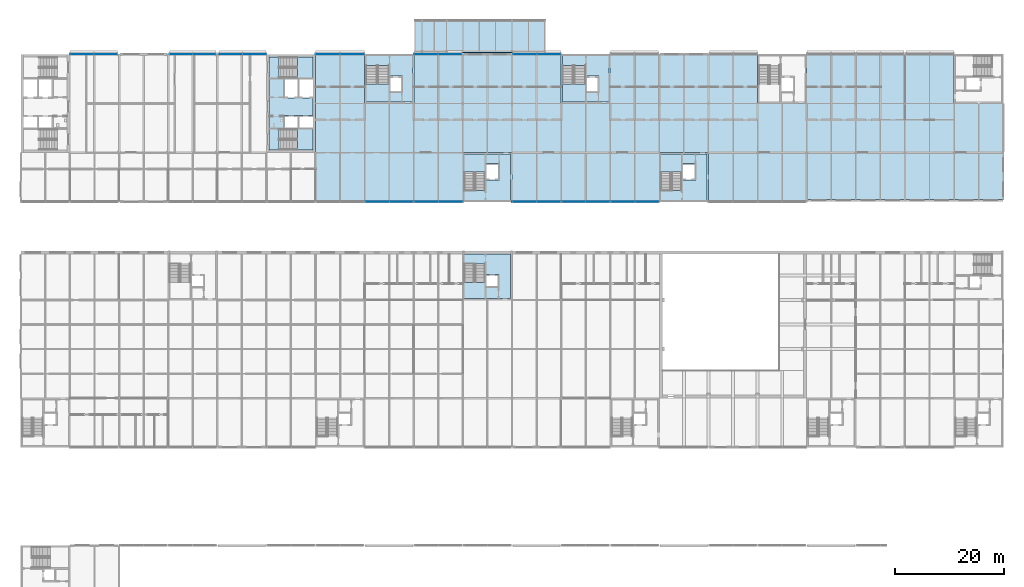
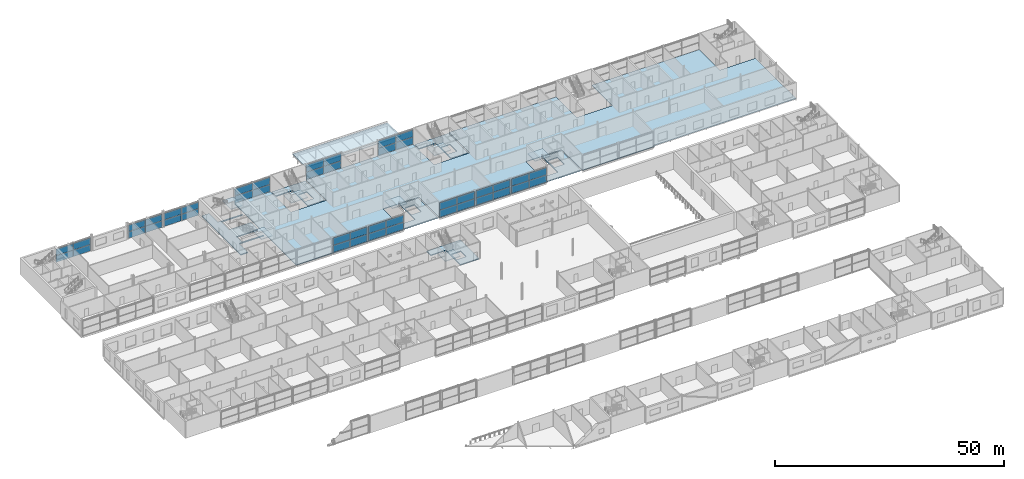
# One storey, part 62 of 97: 44 plates, 15 slabs, 18 elements without a shape of their own.
"""IFC4 building model written with IfcOpenShell, lengths in metres."""

import ifcopenshell
import ifcopenshell.guid

model = None  # the IFC model being written
_history = None  # IfcOwnerHistory: only IFC2X3 demands one
_inside = {}  # id of a spatial element -> (the spatial element, [elements in it])
_under = {}  # id of a project, library or spatial element -> (it, [spatial elements below it])
_declared = {}  # id of a project -> (the project, [libraries it declares])
_typed = {}  # id of a type object -> (the type object, [elements of that type])
_made_of = {}  # id of a material, layer set ... -> (it, [elements and type objects made of it])


def new_model(schema):
    """Start an empty IFC model of exactly this schema.

    Asked for "IFC4X3", IfcOpenShell would pick the latest addendum, in which some entities
    have other attributes; the version numbers below select the first issue.
    IFC2X3 requires an IfcOwnerHistory on every rooted entity: one is made here for all.
    """
    global model, _history
    if schema == "IFC4X3":
        model = ifcopenshell.file(schema_version=(4, 3, 0, 0))
    else:
        model = ifcopenshell.file(schema=schema)
    _inside.clear()
    _under.clear()
    _declared.clear()
    _typed.clear()
    _made_of.clear()
    _history = None
    if model.schema == "IFC2X3":
        org = make("IfcOrganization", Name="unknown")
        user = make(
            "IfcPersonAndOrganization",
            ThePerson=make("IfcPerson", FamilyName="unknown"),
            TheOrganization=org,
        )
        app = make(
            "IfcApplication",
            ApplicationDeveloper=org,
            Version="unknown",
            ApplicationFullName="unknown",
            ApplicationIdentifier="unknown",
        )
        _history = make(
            "IfcOwnerHistory",
            OwningUser=user,
            OwningApplication=app,
            ChangeAction="ADDED",
            CreationDate=0,
        )
    return model


def make(cls, **values):
    """One entity of the class cls with the attributes given. An attribute that is None is left unset."""
    return model.create_entity(
        cls, **{name: value for name, value in values.items() if value is not None}
    )


def rooted(cls, **values):
    """An entity with a GlobalId (a new one), such as an element, a storey or a relation."""
    return make(cls, GlobalId=ifcopenshell.guid.new(), OwnerHistory=_history, **values)


def si_unit(unit_type, name, prefix=None):
    """IfcSIUnit, for example si_unit("LENGTHUNIT", "METRE", prefix="MILLI")."""
    return make("IfcSIUnit", UnitType=unit_type, Prefix=prefix, Name=name)


def assignment(units):
    """IfcUnitAssignment: the units of a project."""
    return None if units is None else make("IfcUnitAssignment", Units=units)


def point(xyz):
    """IfcCartesianPoint."""
    return None if xyz is None else make("IfcCartesianPoint", Coordinates=xyz)


def direction(xyz):
    """IfcDirection."""
    return None if xyz is None else make("IfcDirection", DirectionRatios=xyz)


def frame(location, z_axis=None, x_axis=None):
    """IfcAxis2Placement3D, a coordinate frame: its origin and axes. An axis left out is left unset."""
    return make(
        "IfcAxis2Placement3D",
        Location=point(location),
        Axis=direction(z_axis),
        RefDirection=direction(x_axis),
    )


def frame_2d(location, x_axis=None):
    """IfcAxis2Placement2D, a coordinate frame in the plane: its origin and x axis."""
    return make(
        "IfcAxis2Placement2D", Location=point(location), RefDirection=direction(x_axis)
    )


def origin():
    """The frame at (0, 0, 0) with its axes left unset."""
    return frame((0.0, 0.0, 0.0))


def origin_2d():
    """The frame at (0, 0) in the plane with its x axis left unset."""
    return frame_2d((0.0, 0.0))


def place(relative_to, where):
    """IfcLocalPlacement: puts the frame where relative to a parent placement (None: the world)."""
    return make(
        "IfcLocalPlacement", PlacementRelTo=relative_to, RelativePlacement=where
    )


def context(
    kind, dimensions, precision=None, world=None, true_north=None, identifier=None
):
    """IfcGeometricRepresentationContext, for example the 3D "Model" context."""
    return make(
        "IfcGeometricRepresentationContext",
        ContextIdentifier=identifier,
        ContextType=kind,
        CoordinateSpaceDimension=dimensions,
        Precision=precision,
        WorldCoordinateSystem=world,
        TrueNorth=true_north,
    )


def subcontext(parent, identifier, kind, view, scale=None):
    """IfcGeometricRepresentationSubContext, for example "Body" below "Model"."""
    return make(
        "IfcGeometricRepresentationSubContext",
        ContextIdentifier=identifier,
        ContextType=kind,
        ParentContext=parent,
        TargetScale=scale,
        TargetView=view,
    )


def project(units=None, contexts=None):
    """IfcProject with its units and contexts."""
    return rooted(
        "IfcProject",
        Name="project",
        RepresentationContexts=contexts,
        UnitsInContext=assignment(units),
    )


def spatial(cls, under=None, at=None, **own):
    """A site, building, storey or space (cls), placed at a placement, below another one or the project."""
    s = rooted(cls, ObjectPlacement=at, **own)
    if under is not None:
        _under.setdefault(under.id(), (under, []))[1].append(s)
    return s


def polyline(points):
    """IfcPolyline through the points."""
    return make("IfcPolyline", Points=[point(p) for p in points])


def profile(cls, at=None, kind="AREA", **sizes):
    """A parametric profile (cls). Its sizes go by their IFC names, for example OverallWidth=200.0."""
    return make(cls, ProfileType=kind, Position=at, **sizes)


def rectangle(**sizes):
    """IfcRectangleProfileDef."""
    return profile("IfcRectangleProfileDef", **sizes)


def outline(outer, holes=None, kind="AREA"):
    """IfcArbitraryClosedProfileDef: a profile drawn as a closed curve; with holes, ...WithVoids."""
    if holes is None:
        return make("IfcArbitraryClosedProfileDef", ProfileType=kind, OuterCurve=outer)
    return make(
        "IfcArbitraryProfileDefWithVoids",
        ProfileType=kind,
        OuterCurve=outer,
        InnerCurves=holes,
    )


def extrude(swept, where, along, depth):
    """IfcExtrudedAreaSolid: the profile swept, set in the frame where, extruded along a direction by depth."""
    return make(
        "IfcExtrudedAreaSolid",
        SweptArea=swept,
        Position=where,
        ExtrudedDirection=direction(along),
        Depth=depth,
    )


def shape(context_of_items, identifier, shape_type, items):
    """IfcShapeRepresentation: the items that make up one representation, for example the "Body"."""
    return make(
        "IfcShapeRepresentation",
        ContextOfItems=context_of_items,
        RepresentationIdentifier=identifier,
        RepresentationType=shape_type,
        Items=items,
    )


def material(Name=None, Category=None):
    """IfcMaterial."""
    return make("IfcMaterial", Name=Name, Category=Category)


def layer(
    of_material, thickness, ventilated=None, Name=None, Category=None, Priority=None
):
    """IfcMaterialLayer: one layer of a wall or slab, of a material (None: an air gap)."""
    return make(
        "IfcMaterialLayer",
        Material=of_material,
        LayerThickness=thickness,
        IsVentilated=ventilated,
        Name=Name,
        Category=Category,
        Priority=Priority,
    )


def layer_set(layers, Name=None):
    """IfcMaterialLayerSet."""
    return make("IfcMaterialLayerSet", MaterialLayers=layers, LayerSetName=Name)


def made_of(thing, what):
    """Note that an element or type object is made of a material, layer set ...; save() writes the relation."""
    if what is not None:
        _made_of.setdefault(what.id(), (what, []))[1].append(thing)
    return thing


def type_object(cls, material=None, **own):
    """A type object (cls), such as IfcWallType, which elements share."""
    return made_of(rooted(cls, **own), material)


def element(
    cls,
    number,
    at=None,
    inside=None,
    cuts=None,
    type_object=None,
    material=None,
    context=None,
    identifier="Body",
    shape_type=None,
    held_by="IfcProductDefinitionShape",
    body=None,
    shapes=None,
    **own,
):
    """One element of the class cls, such as IfcWall. Its Tag is "e" and its number.

    at: its placement. inside: the storey or other place that contains it. cuts: it is an
    opening in that element (IfcRelVoidsElement). A single representation is given by context,
    identifier, shape_type and body (its items); several are given by shapes. held_by: the class
    of the entity that holds the representations. save() writes the other relations.
    """
    e = rooted(cls, Tag="e%d" % number, ObjectPlacement=at, **own)
    if body is not None:
        shapes = [shape(context, identifier, shape_type, body)]
    if shapes is not None:
        e.Representation = make(held_by, Representations=shapes)
    if inside is not None:
        _inside.setdefault(inside.id(), (inside, []))[1].append(e)
    if cuts is not None:
        rooted(
            "IfcRelVoidsElement", RelatingBuildingElement=cuts, RelatedOpeningElement=e
        )
    if type_object is not None:
        _typed.setdefault(type_object.id(), (type_object, []))[1].append(e)
    return made_of(e, material)


def aggregate(whole, parts):
    """IfcRelAggregates: a whole, such as a stair, and the parts it consists of."""
    return rooted("IfcRelAggregates", RelatingObject=whole, RelatedObjects=parts)


def save(model, path):
    """Write the relations noted so far, then the file.

    IfcRelAggregates (storeys below a building ...), IfcRelContainedInSpatialStructure (elements
    in a storey), IfcRelDefinesByType, IfcRelAssociatesMaterial and IfcRelDeclares: one each for
    every whole, place, type object, material and project.
    """
    for whole, parts in _under.values():
        aggregate(whole, parts)
    for where, things in _inside.values():
        rooted(
            "IfcRelContainedInSpatialStructure",
            RelatedElements=things,
            RelatingStructure=where,
        )
    for kind, things in _typed.values():
        rooted("IfcRelDefinesByType", RelatedObjects=things, RelatingType=kind)
    for what, things in _made_of.values():
        rooted("IfcRelAssociatesMaterial", RelatedObjects=things, RelatingMaterial=what)
    for by, libraries in _declared.values():
        rooted("IfcRelDeclares", RelatingContext=by, RelatedDefinitions=libraries)
    model.write(path)


model = new_model("IFC4")

# Units and contexts
model_context = context("Model", 3, precision=1e-05, world=origin(), true_north=direction((0.0, 1.0)))
body_context = subcontext(model_context, "Body", "Model", "MODEL_VIEW")
ifc_project = project(units=[si_unit("LENGTHUNIT", "METRE"), si_unit("AREAUNIT", "SQUARE_METRE"), si_unit("VOLUMEUNIT", "CUBIC_METRE"), si_unit("PLANEANGLEUNIT", "RADIAN"), si_unit("MASSUNIT", "GRAM", prefix="KILO")], contexts=[model_context])

# Site, building, storey
site_placement = place(None, origin())
site = spatial("IfcSite", under=ifc_project, at=site_placement, CompositionType="ELEMENT")
building_placement = place(site_placement, origin())
building = spatial("IfcBuilding", under=site, at=building_placement, Name="Corbel Yard City Hall", CompositionType="ELEMENT")
storey_placement = place(building_placement, frame((0.0, 0.0, 6.0)))
storey = spatial("IfcBuildingStorey", under=building, at=storey_placement, Name="L01", CompositionType="ELEMENT", Elevation=6.0)

# Slabs
ifc_material_1 = material(Name="Concrete N40 (40 MPa)", Category="concrete")
ifc_layer_1 = layer(ifc_material_1, 0.25)
ifc_layer_set_1 = layer_set([ifc_layer_1], Name="Concrete N40 (40 MPa)")
slab_type_1 = type_object("IfcSlabType", Name="CF1", PredefinedType="FLOOR", material=ifc_layer_set_1)
slab_1_placement = place(storey_placement, frame((0.0, 0.0, -0.25)))
element("IfcSlab", 1, at=slab_1_placement, inside=storey, type_object=slab_type_1, Name="Core floor slab", PredefinedType="FLOOR", context=body_context, shape_type="SweptSolid", body=[
    extrude(outline(polyline([(81.25, 80.39990234375), (81.25, 78.59912109375), (85.050048828125, 78.59912109375), (85.050048828125, 72.25), (89.75, 72.25), (89.75, 80.39990234375), (81.25, 80.39990234375)]), holes=[polyline([(87.64990234375, 74.25), (87.64990234375, 76.64990234375), (85.300048828125, 76.64990234375), (85.300048828125, 74.25), (87.64990234375, 74.25)])]), origin(), (0.0, 0.0, 1.0), 0.25),
])
slab_2_placement = place(storey_placement, frame((0.0, 0.0, -0.25)))
element("IfcSlab", 2, at=slab_2_placement, inside=storey, type_object=slab_type_1, Name="Core floor slab", PredefinedType="FLOOR", context=body_context, shape_type="SweptSolid", body=[
    extrude(outline(polyline([(63.25, 116.75), (63.25, 114.948974609375), (67.449951171875, 114.948974609375), (67.449951171875, 108.25), (71.75, 108.25), (71.75, 116.75), (63.25, 116.75)]), holes=[polyline([(69.949951171875, 110.0), (69.949951171875, 113.0), (67.699951171875, 113.0), (67.699951171875, 110.0), (69.949951171875, 110.0)])]), origin(), (0.0, 0.0, 1.0), 0.25),
])
slab_3_placement = place(storey_placement, frame((0.0, 0.0, -0.25)))
element("IfcSlab", 3, at=slab_3_placement, inside=storey, type_object=slab_type_1, Name="Core floor slab", PredefinedType="FLOOR", context=body_context, shape_type="SweptSolid", body=[
    extrude(outline(polyline([(99.25, 116.75), (99.25, 114.948974609375), (103.449951171875, 114.948974609375), (103.449951171875, 108.25), (107.75, 108.25), (107.75, 116.75), (99.25, 116.75)]), holes=[polyline([(105.949951171875, 110.0), (105.949951171875, 113.0), (103.699951171875, 113.0), (103.699951171875, 110.0), (105.949951171875, 110.0)])]), origin(), (0.0, 0.0, 1.0), 0.25),
])
slab_4_placement = place(storey_placement, frame((0.0, 0.0, -0.25)))
element("IfcSlab", 4, at=slab_4_placement, inside=storey, type_object=slab_type_1, Name="Core floor slab", PredefinedType="FLOOR", context=body_context, shape_type="SweptSolid", body=[
    extrude(outline(polyline([(89.75, 98.75), (85.050048828125, 98.75), (85.050048828125, 92.051025390625), (81.25, 92.051025390625), (81.25, 90.25), (89.75, 90.25), (89.75, 98.75)]), holes=[polyline([(87.75, 94.0), (87.75, 97.0), (85.300048828125, 97.0), (85.300048828125, 94.0), (87.75, 94.0)])]), origin(), (0.0, 0.0, 1.0), 0.25),
])
slab_5_placement = place(storey_placement, frame((0.0, 0.0, -0.25)))
element("IfcSlab", 5, at=slab_5_placement, inside=storey, type_object=slab_type_1, Name="Core floor slab", PredefinedType="FLOOR", context=body_context, shape_type="SweptSolid", body=[
    extrude(outline(polyline([(125.75, 98.75), (121.050048828125, 98.75), (121.050048828125, 92.051025390625), (117.25, 92.051025390625), (117.25, 90.25), (125.75, 90.25), (125.75, 98.75)]), holes=[polyline([(123.75, 94.0), (123.75, 97.0), (121.300048828125, 97.0), (121.300048828125, 94.0), (123.75, 94.0)])]), origin(), (0.0, 0.0, 1.0), 0.25),
])
slab_6_placement = place(storey_placement, frame((0.0, 0.0, -0.25)))
element("IfcSlab", 6, at=slab_6_placement, inside=storey, type_object=slab_type_1, Name="Core floor slab", PredefinedType="FLOOR", context=body_context, shape_type="SweptSolid", body=[
    extrude(outline(polyline([(53.5, 103.300048828125), (53.5, 103.550048828125), (48.10009765625, 103.550048828125), (48.10009765625, 105.800048828125), (53.5, 105.800048828125), (53.5, 109.0), (48.10009765625, 109.0), (48.10009765625, 112.449951171875), (53.5, 112.449951171875), (53.5, 112.699951171875), (47.301025390625, 112.699951171875), (47.301025390625, 116.5), (45.5, 116.5), (45.5, 99.5), (47.301025390625, 99.5), (47.301025390625, 103.300048828125), (53.5, 103.300048828125)])), origin(), (0.0, 0.0, 1.0), 0.25),
])
ifc_layer_2 = layer(ifc_material_1, 0.14990234375)
ifc_layer_set_2 = layer_set([ifc_layer_2], Name="Concrete N40 (40 MPa)")
slab_type_2 = type_object("IfcSlabType", Name="Floor slab 150", PredefinedType="FLOOR", material=ifc_layer_set_2)
slab_7_placement = place(storey_placement, frame((0.0, 0.0, -0.14990234375)))
element("IfcSlab", 7, at=slab_7_placement, inside=storey, type_object=slab_type_2, Name="Floor slab Civic reception and councillors' wing", PredefinedType="FLOOR", context=body_context, shape_type="SweptSolid", body=[
    extrude(outline(polyline([(108.0, 117.0), (108.0, 108.0), (99.0, 108.0), (99.0, 117.0), (72.0, 117.0), (72.0, 108.0), (63.0, 108.0), (63.0, 117.0), (54.0, 117.0), (54.0, 90.0), (81.0, 90.0), (81.0, 99.0), (90.0, 99.0), (90.0, 90.0), (117.0, 90.0), (117.0, 99.0), (126.0, 99.0), (126.0, 90.0), (144.159912109375, 90.0), (144.159912109375, 90.39990234375), (180.0, 90.39990234375), (180.0, 108.0), (171.0, 108.0), (171.0, 117.0), (144.0, 117.0), (144.0, 108.0), (135.0, 108.0), (135.0, 117.0), (108.0, 117.0)])), origin(), (0.0, 0.0, 1.0), 0.14990234375),
])

# Stair, slab
stair_type_1 = type_object("IfcStairType", Name="ST1", PredefinedType="HALF_TURN_STAIR", material=ifc_material_1)
stair_1_placement = place(storey_placement, origin())
stair_1 = element("IfcStair", 8, at=stair_1_placement, inside=storey, type_object=stair_type_1, Name="Exit stair L01", PredefinedType="HALF_TURN_STAIR")
ifc_layer_3 = layer(ifc_material_1, 0.199951171875)
ifc_layer_set_3 = layer_set([ifc_layer_3], Name="Concrete N40 (40 MPa)")
slab_type_3 = type_object("IfcSlabType", Name="LN1", PredefinedType="LANDING", material=ifc_layer_set_3)
slab_8_placement = place(storey_placement, frame((0.0, 0.0, 2.050048828125)))
slab_8 = element("IfcSlab", 9, at=slab_8_placement, type_object=slab_type_3, Name="PS14 landing 1", PredefinedType="LANDING", context=body_context, shape_type="SweptSolid", body=[
    extrude(outline(polyline([(81.25, 72.25), (85.050048828125, 72.25), (85.050048828125, 75.239990234375), (81.25, 75.239990234375), (81.25, 72.25)])), origin(), (0.0, 0.0, 1.0), 0.199951171875),
])
aggregate(stair_1, [slab_8])

stair_type_2 = type_object("IfcStairType", Name="ST31", PredefinedType="HALF_TURN_STAIR", material=ifc_material_1)
stair_2_placement = place(storey_placement, origin())
stair_2 = element("IfcStair", 10, at=stair_2_placement, inside=storey, type_object=stair_type_2, Name="Exit stair L01", PredefinedType="HALF_TURN_STAIR")
slab_9_placement = place(storey_placement, frame((0.0, 0.0, 2.050048828125)))
slab_9 = element("IfcSlab", 11, at=slab_9_placement, type_object=slab_type_3, Name="PS16 landing 1", PredefinedType="LANDING", context=body_context, shape_type="SweptSolid", body=[
    extrude(outline(polyline([(63.25, 108.25), (67.449951171875, 108.25), (67.449951171875, 111.590087890625), (63.25, 111.590087890625), (63.25, 108.25)])), origin(), (0.0, 0.0, 1.0), 0.199951171875),
])
aggregate(stair_2, [slab_9])

stair_3_placement = place(storey_placement, origin())
stair_3 = element("IfcStair", 12, at=stair_3_placement, inside=storey, type_object=stair_type_2, Name="Exit stair L01", PredefinedType="HALF_TURN_STAIR")
slab_10_placement = place(storey_placement, frame((0.0, 0.0, 2.050048828125)))
slab_10 = element("IfcSlab", 13, at=slab_10_placement, type_object=slab_type_3, Name="PS17 landing 1", PredefinedType="LANDING", context=body_context, shape_type="SweptSolid", body=[
    extrude(outline(polyline([(99.25, 108.25), (103.449951171875, 108.25), (103.449951171875, 111.590087890625), (99.25, 111.590087890625), (99.25, 108.25)])), origin(), (0.0, 0.0, 1.0), 0.199951171875),
])
aggregate(stair_3, [slab_10])

stair_4_placement = place(storey_placement, origin())
stair_4 = element("IfcStair", 14, at=stair_4_placement, inside=storey, type_object=stair_type_1, Name="Exit stair L01", PredefinedType="HALF_TURN_STAIR")
slab_11_placement = place(storey_placement, frame((0.0, 0.0, 2.050048828125)))
slab_11 = element("IfcSlab", 15, at=slab_11_placement, type_object=slab_type_3, Name="PS20 landing 1", PredefinedType="LANDING", context=body_context, shape_type="SweptSolid", body=[
    extrude(outline(polyline([(81.25, 95.409912109375), (85.050048828125, 95.409912109375), (85.050048828125, 98.75), (81.25, 98.75), (81.25, 95.409912109375)])), origin(), (0.0, 0.0, 1.0), 0.199951171875),
])
aggregate(stair_4, [slab_11])

stair_5_placement = place(storey_placement, origin())
stair_5 = element("IfcStair", 16, at=stair_5_placement, inside=storey, type_object=stair_type_1, Name="Exit stair L01", PredefinedType="HALF_TURN_STAIR")
slab_12_placement = place(storey_placement, frame((0.0, 0.0, 2.050048828125)))
slab_12 = element("IfcSlab", 17, at=slab_12_placement, type_object=slab_type_3, Name="PS21 landing 1", PredefinedType="LANDING", context=body_context, shape_type="SweptSolid", body=[
    extrude(outline(polyline([(117.25, 95.409912109375), (121.050048828125, 95.409912109375), (121.050048828125, 98.75), (117.25, 98.75), (117.25, 95.409912109375)])), origin(), (0.0, 0.0, 1.0), 0.199951171875),
])
aggregate(stair_5, [slab_12])

stair_6_placement = place(storey_placement, origin())
stair_6 = element("IfcStair", 18, at=stair_6_placement, inside=storey, type_object=stair_type_1, Name="Exit stair ST-E1 L01", PredefinedType="HALF_TURN_STAIR")
slab_13_placement = place(storey_placement, frame((0.0, 0.0, 2.050048828125)))
slab_13 = element("IfcSlab", 19, at=slab_13_placement, type_object=slab_type_3, Name="ST-E1 landing 1", PredefinedType="LANDING", context=body_context, shape_type="SweptSolid", body=[
    extrude(outline(polyline([(50.659912109375, 99.5), (53.5, 99.5), (53.5, 103.300048828125), (50.659912109375, 103.300048828125), (50.659912109375, 99.5)])), origin(), (0.0, 0.0, 1.0), 0.199951171875),
])
aggregate(stair_6, [slab_13])

stair_7_placement = place(storey_placement, origin())
stair_7 = element("IfcStair", 20, at=stair_7_placement, inside=storey, type_object=stair_type_1, Name="Exit stair ST-E2 L01", PredefinedType="HALF_TURN_STAIR")
slab_14_placement = place(storey_placement, frame((0.0, 0.0, 2.050048828125)))
slab_14 = element("IfcSlab", 21, at=slab_14_placement, type_object=slab_type_3, Name="ST-E2 landing 1", PredefinedType="LANDING", context=body_context, shape_type="SweptSolid", body=[
    extrude(outline(polyline([(50.659912109375, 112.699951171875), (53.5, 112.699951171875), (53.5, 116.5), (50.659912109375, 116.5), (50.659912109375, 112.699951171875)])), origin(), (0.0, 0.0, 1.0), 0.199951171875),
])
aggregate(stair_7, [slab_14])

# Curtain wall, plates
ifc_material_2 = material(Name="Aluminium extrusion", Category="aluminium")
ifc_layer_4 = layer(ifc_material_2, 0.199951171875)
ifc_layer_set_4 = layer_set([ifc_layer_4], Name="Aluminium extrusion")
curtain_wall_type = type_object("IfcCurtainWallType", Name="CW1", PredefinedType="USERDEFINED", material=ifc_layer_set_4)
curtain_wall_1_placement = place(storey_placement, origin())
curtain_wall_1 = element("IfcCurtainWall", 22, at=curtain_wall_1_placement, inside=storey, type_object=curtain_wall_type, Name="Curtain wall CW1 L01", ObjectType="CURTAIN WALL", PredefinedType="USERDEFINED")
ifc_material_3 = material(Name="Laminated glass", Category="glass")
ifc_layer_5 = layer(ifc_material_3, 0.035888671875)
ifc_layer_set_5 = layer_set([ifc_layer_5], Name="Laminated glass")
plate_type = type_object("IfcPlateType", Name="PN1", PredefinedType="CURTAIN_PANEL", material=ifc_layer_set_5)
plate_1_placement = place(storey_placement, frame((65.331298828125, 90.0, 0.06494140625), z_axis=(0.0, 0.0, 1.0), x_axis=(1.0, 0.0, 0.0)))
plate_1 = element("IfcPlate", 23, at=plate_1_placement, type_object=plate_type, Name="CW1 panel 1.1", PredefinedType="CURTAIN_PANEL", context=body_context, shape_type="SweptSolid", body=[
    extrude(rectangle(XDim=4.2724609375, YDim=0.035888671875, at=origin_2d()), origin(), (0.0, 0.0, 1.0), 1.89794921875),
])
plate_2_placement = place(storey_placement, frame((65.331298828125, 90.0, 2.028076171875), z_axis=(0.0, 0.0, 1.0), x_axis=(1.0, 0.0, 0.0)))
plate_2 = element("IfcPlate", 24, at=plate_2_placement, type_object=plate_type, Name="CW1 panel 1.2", PredefinedType="CURTAIN_PANEL", context=body_context, shape_type="SweptSolid", body=[
    extrude(rectangle(XDim=4.2724609375, YDim=0.035888671875, at=origin_2d()), origin(), (0.0, 0.0, 1.0), 1.89794921875),
])
plate_3_placement = place(storey_placement, frame((69.668701171875, 90.0, 0.06494140625), z_axis=(0.0, 0.0, 1.0), x_axis=(1.0, 0.0, 0.0)))
plate_3 = element("IfcPlate", 25, at=plate_3_placement, type_object=plate_type, Name="CW1 panel 2.1", PredefinedType="CURTAIN_PANEL", context=body_context, shape_type="SweptSolid", body=[
    extrude(rectangle(XDim=4.2724609375, YDim=0.035888671875, at=origin_2d()), origin(), (0.0, 0.0, 1.0), 1.89794921875),
])
plate_4_placement = place(storey_placement, frame((69.668701171875, 90.0, 2.028076171875), z_axis=(0.0, 0.0, 1.0), x_axis=(1.0, 0.0, 0.0)))
plate_4 = element("IfcPlate", 26, at=plate_4_placement, type_object=plate_type, Name="CW1 panel 2.2", PredefinedType="CURTAIN_PANEL", context=body_context, shape_type="SweptSolid", body=[
    extrude(rectangle(XDim=4.2724609375, YDim=0.035888671875, at=origin_2d()), origin(), (0.0, 0.0, 1.0), 1.89794921875),
])
aggregate(curtain_wall_1, [plate_1, plate_2, plate_3, plate_4])

curtain_wall_2_placement = place(storey_placement, origin())
curtain_wall_2 = element("IfcCurtainWall", 27, at=curtain_wall_2_placement, inside=storey, type_object=curtain_wall_type, Name="Curtain wall CW1 L01", ObjectType="CURTAIN WALL", PredefinedType="USERDEFINED")
plate_5_placement = place(storey_placement, frame((74.36376953125, 90.0, 0.06494140625), z_axis=(0.0, 0.0, 1.0), x_axis=(1.0, 0.0, 0.0)))
plate_5 = element("IfcPlate", 28, at=plate_5_placement, type_object=plate_type, Name="CW1 panel 1.1", PredefinedType="CURTAIN_PANEL", context=body_context, shape_type="SweptSolid", body=[
    extrude(rectangle(XDim=4.33740234375, YDim=0.035888671875, at=origin_2d()), origin(), (0.0, 0.0, 1.0), 1.89794921875),
])
plate_6_placement = place(storey_placement, frame((74.36376953125, 90.0, 2.028076171875), z_axis=(0.0, 0.0, 1.0), x_axis=(1.0, 0.0, 0.0)))
plate_6 = element("IfcPlate", 29, at=plate_6_placement, type_object=plate_type, Name="CW1 panel 1.2", PredefinedType="CURTAIN_PANEL", context=body_context, shape_type="SweptSolid", body=[
    extrude(rectangle(XDim=4.33740234375, YDim=0.035888671875, at=origin_2d()), origin(), (0.0, 0.0, 1.0), 1.89794921875),
])
plate_7_placement = place(storey_placement, frame((78.766357421875, 90.0, 0.06494140625), z_axis=(0.0, 0.0, 1.0), x_axis=(1.0, 0.0, 0.0)))
plate_7 = element("IfcPlate", 30, at=plate_7_placement, type_object=plate_type, Name="CW1 panel 2.1", PredefinedType="CURTAIN_PANEL", context=body_context, shape_type="SweptSolid", body=[
    extrude(rectangle(XDim=4.33740234375, YDim=0.035888671875, at=origin_2d()), origin(), (0.0, 0.0, 1.0), 1.89794921875),
])
plate_8_placement = place(storey_placement, frame((78.766357421875, 90.0, 2.028076171875), z_axis=(0.0, 0.0, 1.0), x_axis=(1.0, 0.0, 0.0)))
plate_8 = element("IfcPlate", 31, at=plate_8_placement, type_object=plate_type, Name="CW1 panel 2.2", PredefinedType="CURTAIN_PANEL", context=body_context, shape_type="SweptSolid", body=[
    extrude(rectangle(XDim=4.33740234375, YDim=0.035888671875, at=origin_2d()), origin(), (0.0, 0.0, 1.0), 1.89794921875),
])
aggregate(curtain_wall_2, [plate_5, plate_6, plate_7, plate_8])

curtain_wall_3_placement = place(storey_placement, origin())
curtain_wall_3 = element("IfcCurtainWall", 32, at=curtain_wall_3_placement, inside=storey, type_object=curtain_wall_type, Name="Curtain wall CW1 L01", ObjectType="CURTAIN WALL", PredefinedType="USERDEFINED")
plate_9_placement = place(storey_placement, frame((92.233642578125, 90.0, 0.06494140625), z_axis=(0.0, 0.0, 1.0), x_axis=(1.0, 0.0, 0.0)))
plate_9 = element("IfcPlate", 33, at=plate_9_placement, type_object=plate_type, Name="CW1 panel 1.1", PredefinedType="CURTAIN_PANEL", context=body_context, shape_type="SweptSolid", body=[
    extrude(rectangle(XDim=4.33740234375, YDim=0.035888671875, at=origin_2d()), origin(), (0.0, 0.0, 1.0), 1.89794921875),
])
plate_10_placement = place(storey_placement, frame((92.233642578125, 90.0, 2.028076171875), z_axis=(0.0, 0.0, 1.0), x_axis=(1.0, 0.0, 0.0)))
plate_10 = element("IfcPlate", 34, at=plate_10_placement, type_object=plate_type, Name="CW1 panel 1.2", PredefinedType="CURTAIN_PANEL", context=body_context, shape_type="SweptSolid", body=[
    extrude(rectangle(XDim=4.33740234375, YDim=0.035888671875, at=origin_2d()), origin(), (0.0, 0.0, 1.0), 1.89794921875),
])
plate_11_placement = place(storey_placement, frame((96.63623046875, 90.0, 0.06494140625), z_axis=(0.0, 0.0, 1.0), x_axis=(1.0, 0.0, 0.0)))
plate_11 = element("IfcPlate", 35, at=plate_11_placement, type_object=plate_type, Name="CW1 panel 2.1", PredefinedType="CURTAIN_PANEL", context=body_context, shape_type="SweptSolid", body=[
    extrude(rectangle(XDim=4.33740234375, YDim=0.035888671875, at=origin_2d()), origin(), (0.0, 0.0, 1.0), 1.89794921875),
])
plate_12_placement = place(storey_placement, frame((96.63623046875, 90.0, 2.028076171875), z_axis=(0.0, 0.0, 1.0), x_axis=(1.0, 0.0, 0.0)))
plate_12 = element("IfcPlate", 36, at=plate_12_placement, type_object=plate_type, Name="CW1 panel 2.2", PredefinedType="CURTAIN_PANEL", context=body_context, shape_type="SweptSolid", body=[
    extrude(rectangle(XDim=4.33740234375, YDim=0.035888671875, at=origin_2d()), origin(), (0.0, 0.0, 1.0), 1.89794921875),
])
aggregate(curtain_wall_3, [plate_9, plate_10, plate_11, plate_12])

curtain_wall_4_placement = place(storey_placement, origin())
curtain_wall_4 = element("IfcCurtainWall", 37, at=curtain_wall_4_placement, inside=storey, type_object=curtain_wall_type, Name="Curtain wall CW1 L01", ObjectType="CURTAIN WALL", PredefinedType="USERDEFINED")
plate_13_placement = place(storey_placement, frame((101.331298828125, 90.0, 0.06494140625), z_axis=(0.0, 0.0, 1.0), x_axis=(1.0, 0.0, 0.0)))
plate_13 = element("IfcPlate", 38, at=plate_13_placement, type_object=plate_type, Name="CW1 panel 1.1", PredefinedType="CURTAIN_PANEL", context=body_context, shape_type="SweptSolid", body=[
    extrude(rectangle(XDim=4.2724609375, YDim=0.035888671875, at=origin_2d()), origin(), (0.0, 0.0, 1.0), 1.89794921875),
])
plate_14_placement = place(storey_placement, frame((101.331298828125, 90.0, 2.028076171875), z_axis=(0.0, 0.0, 1.0), x_axis=(1.0, 0.0, 0.0)))
plate_14 = element("IfcPlate", 39, at=plate_14_placement, type_object=plate_type, Name="CW1 panel 1.2", PredefinedType="CURTAIN_PANEL", context=body_context, shape_type="SweptSolid", body=[
    extrude(rectangle(XDim=4.2724609375, YDim=0.035888671875, at=origin_2d()), origin(), (0.0, 0.0, 1.0), 1.89794921875),
])
plate_15_placement = place(storey_placement, frame((105.668701171875, 90.0, 0.06494140625), z_axis=(0.0, 0.0, 1.0), x_axis=(1.0, 0.0, 0.0)))
plate_15 = element("IfcPlate", 40, at=plate_15_placement, type_object=plate_type, Name="CW1 panel 2.1", PredefinedType="CURTAIN_PANEL", context=body_context, shape_type="SweptSolid", body=[
    extrude(rectangle(XDim=4.2724609375, YDim=0.035888671875, at=origin_2d()), origin(), (0.0, 0.0, 1.0), 1.89794921875),
])
plate_16_placement = place(storey_placement, frame((105.668701171875, 90.0, 2.028076171875), z_axis=(0.0, 0.0, 1.0), x_axis=(1.0, 0.0, 0.0)))
plate_16 = element("IfcPlate", 41, at=plate_16_placement, type_object=plate_type, Name="CW1 panel 2.2", PredefinedType="CURTAIN_PANEL", context=body_context, shape_type="SweptSolid", body=[
    extrude(rectangle(XDim=4.2724609375, YDim=0.035888671875, at=origin_2d()), origin(), (0.0, 0.0, 1.0), 1.89794921875),
])
aggregate(curtain_wall_4, [plate_13, plate_14, plate_15, plate_16])

curtain_wall_5_placement = place(storey_placement, origin())
curtain_wall_5 = element("IfcCurtainWall", 42, at=curtain_wall_5_placement, inside=storey, type_object=curtain_wall_type, Name="Curtain wall CW1 L01", ObjectType="CURTAIN WALL", PredefinedType="USERDEFINED")
plate_17_placement = place(storey_placement, frame((110.36376953125, 90.0, 0.06494140625), z_axis=(0.0, 0.0, 1.0), x_axis=(1.0, 0.0, 0.0)))
plate_17 = element("IfcPlate", 43, at=plate_17_placement, type_object=plate_type, Name="CW1 panel 1.1", PredefinedType="CURTAIN_PANEL", context=body_context, shape_type="SweptSolid", body=[
    extrude(rectangle(XDim=4.33740234375, YDim=0.035888671875, at=origin_2d()), origin(), (0.0, 0.0, 1.0), 1.89794921875),
])
plate_18_placement = place(storey_placement, frame((110.36376953125, 90.0, 2.028076171875), z_axis=(0.0, 0.0, 1.0), x_axis=(1.0, 0.0, 0.0)))
plate_18 = element("IfcPlate", 44, at=plate_18_placement, type_object=plate_type, Name="CW1 panel 1.2", PredefinedType="CURTAIN_PANEL", context=body_context, shape_type="SweptSolid", body=[
    extrude(rectangle(XDim=4.33740234375, YDim=0.035888671875, at=origin_2d()), origin(), (0.0, 0.0, 1.0), 1.89794921875),
])
plate_19_placement = place(storey_placement, frame((114.766357421875, 90.0, 0.06494140625), z_axis=(0.0, 0.0, 1.0), x_axis=(1.0, 0.0, 0.0)))
plate_19 = element("IfcPlate", 45, at=plate_19_placement, type_object=plate_type, Name="CW1 panel 2.1", PredefinedType="CURTAIN_PANEL", context=body_context, shape_type="SweptSolid", body=[
    extrude(rectangle(XDim=4.33740234375, YDim=0.035888671875, at=origin_2d()), origin(), (0.0, 0.0, 1.0), 1.89794921875),
])
plate_20_placement = place(storey_placement, frame((114.766357421875, 90.0, 2.028076171875), z_axis=(0.0, 0.0, 1.0), x_axis=(1.0, 0.0, 0.0)))
plate_20 = element("IfcPlate", 46, at=plate_20_placement, type_object=plate_type, Name="CW1 panel 2.2", PredefinedType="CURTAIN_PANEL", context=body_context, shape_type="SweptSolid", body=[
    extrude(rectangle(XDim=4.33740234375, YDim=0.035888671875, at=origin_2d()), origin(), (0.0, 0.0, 1.0), 1.89794921875),
])
aggregate(curtain_wall_5, [plate_17, plate_18, plate_19, plate_20])

curtain_wall_6_placement = place(storey_placement, origin())
curtain_wall_6 = element("IfcCurtainWall", 47, at=curtain_wall_6_placement, inside=storey, type_object=curtain_wall_type, Name="Curtain wall CW1 L01", ObjectType="CURTAIN WALL", PredefinedType="USERDEFINED")
plate_21_placement = place(storey_placement, frame((11.206298828125, 117.0, 0.06494140625), z_axis=(0.0, 0.0, 1.0), x_axis=(1.0, 0.0, 0.0)))
plate_21 = element("IfcPlate", 48, at=plate_21_placement, type_object=plate_type, Name="CW1 panel 1.1", PredefinedType="CURTAIN_PANEL", context=body_context, shape_type="SweptSolid", body=[
    extrude(rectangle(XDim=4.282470703125, YDim=0.035888671875, at=origin_2d()), origin(), (0.0, 0.0, 1.0), 1.722412109375),
])
plate_22_placement = place(storey_placement, frame((11.206298828125, 117.0, 1.8525390625), z_axis=(0.0, 0.0, 1.0), x_axis=(1.0, 0.0, 0.0)))
plate_22 = element("IfcPlate", 49, at=plate_22_placement, type_object=plate_type, Name="CW1 panel 1.2", PredefinedType="CURTAIN_PANEL", context=body_context, shape_type="SweptSolid", body=[
    extrude(rectangle(XDim=4.282470703125, YDim=0.035888671875, at=origin_2d()), origin(), (0.0, 0.0, 1.0), 1.722412109375),
])
plate_23_placement = place(storey_placement, frame((15.5537109375, 117.0, 0.06494140625), z_axis=(0.0, 0.0, 1.0), x_axis=(1.0, 0.0, 0.0)))
plate_23 = element("IfcPlate", 50, at=plate_23_placement, type_object=plate_type, Name="CW1 panel 2.1", PredefinedType="CURTAIN_PANEL", context=body_context, shape_type="SweptSolid", body=[
    extrude(rectangle(XDim=4.282470703125, YDim=0.035888671875, at=origin_2d()), origin(), (0.0, 0.0, 1.0), 1.722412109375),
])
plate_24_placement = place(storey_placement, frame((15.5537109375, 117.0, 1.8525390625), z_axis=(0.0, 0.0, 1.0), x_axis=(1.0, 0.0, 0.0)))
plate_24 = element("IfcPlate", 51, at=plate_24_placement, type_object=plate_type, Name="CW1 panel 2.2", PredefinedType="CURTAIN_PANEL", context=body_context, shape_type="SweptSolid", body=[
    extrude(rectangle(XDim=4.282470703125, YDim=0.035888671875, at=origin_2d()), origin(), (0.0, 0.0, 1.0), 1.722412109375),
])
aggregate(curtain_wall_6, [plate_21, plate_22, plate_23, plate_24])

curtain_wall_7_placement = place(storey_placement, origin())
curtain_wall_7 = element("IfcCurtainWall", 52, at=curtain_wall_7_placement, inside=storey, type_object=curtain_wall_type, Name="Curtain wall CW1 L01", ObjectType="CURTAIN WALL", PredefinedType="USERDEFINED")
plate_25_placement = place(storey_placement, frame((29.38623046875, 117.0, 0.06494140625), z_axis=(0.0, 0.0, 1.0), x_axis=(1.0, 0.0, 0.0)))
plate_25 = element("IfcPlate", 53, at=plate_25_placement, type_object=plate_type, Name="CW1 panel 1.1", PredefinedType="CURTAIN_PANEL", context=body_context, shape_type="SweptSolid", body=[
    extrude(rectangle(XDim=4.16259765625, YDim=0.035888671875, at=origin_2d()), origin(), (0.0, 0.0, 1.0), 1.722412109375),
])
plate_26_placement = place(storey_placement, frame((29.38623046875, 117.0, 1.8525390625), z_axis=(0.0, 0.0, 1.0), x_axis=(1.0, 0.0, 0.0)))
plate_26 = element("IfcPlate", 54, at=plate_26_placement, type_object=plate_type, Name="CW1 panel 1.2", PredefinedType="CURTAIN_PANEL", context=body_context, shape_type="SweptSolid", body=[
    extrude(rectangle(XDim=4.16259765625, YDim=0.035888671875, at=origin_2d()), origin(), (0.0, 0.0, 1.0), 1.722412109375),
])
plate_27_placement = place(storey_placement, frame((33.61376953125, 117.0, 0.06494140625), z_axis=(0.0, 0.0, 1.0), x_axis=(1.0, 0.0, 0.0)))
plate_27 = element("IfcPlate", 55, at=plate_27_placement, type_object=plate_type, Name="CW1 panel 2.1", PredefinedType="CURTAIN_PANEL", context=body_context, shape_type="SweptSolid", body=[
    extrude(rectangle(XDim=4.16259765625, YDim=0.035888671875, at=origin_2d()), origin(), (0.0, 0.0, 1.0), 1.722412109375),
])
plate_28_placement = place(storey_placement, frame((33.61376953125, 117.0, 1.8525390625), z_axis=(0.0, 0.0, 1.0), x_axis=(1.0, 0.0, 0.0)))
plate_28 = element("IfcPlate", 56, at=plate_28_placement, type_object=plate_type, Name="CW1 panel 2.2", PredefinedType="CURTAIN_PANEL", context=body_context, shape_type="SweptSolid", body=[
    extrude(rectangle(XDim=4.16259765625, YDim=0.035888671875, at=origin_2d()), origin(), (0.0, 0.0, 1.0), 1.722412109375),
])
aggregate(curtain_wall_7, [plate_25, plate_26, plate_27, plate_28])

curtain_wall_8_placement = place(storey_placement, origin())
curtain_wall_8 = element("IfcCurtainWall", 57, at=curtain_wall_8_placement, inside=storey, type_object=curtain_wall_type, Name="Curtain wall CW1 L01", ObjectType="CURTAIN WALL", PredefinedType="USERDEFINED")
plate_29_placement = place(storey_placement, frame((38.4462890625, 117.0, 0.06494140625), z_axis=(0.0, 0.0, 1.0), x_axis=(1.0, 0.0, 0.0)))
plate_29 = element("IfcPlate", 58, at=plate_29_placement, type_object=plate_type, Name="CW1 panel 1.1", PredefinedType="CURTAIN_PANEL", context=body_context, shape_type="SweptSolid", body=[
    extrude(rectangle(XDim=4.282470703125, YDim=0.035888671875, at=origin_2d()), origin(), (0.0, 0.0, 1.0), 1.722412109375),
])
plate_30_placement = place(storey_placement, frame((38.4462890625, 117.0, 1.8525390625), z_axis=(0.0, 0.0, 1.0), x_axis=(1.0, 0.0, 0.0)))
plate_30 = element("IfcPlate", 59, at=plate_30_placement, type_object=plate_type, Name="CW1 panel 1.2", PredefinedType="CURTAIN_PANEL", context=body_context, shape_type="SweptSolid", body=[
    extrude(rectangle(XDim=4.282470703125, YDim=0.035888671875, at=origin_2d()), origin(), (0.0, 0.0, 1.0), 1.722412109375),
])
plate_31_placement = place(storey_placement, frame((42.793701171875, 117.0, 0.06494140625), z_axis=(0.0, 0.0, 1.0), x_axis=(1.0, 0.0, 0.0)))
plate_31 = element("IfcPlate", 60, at=plate_31_placement, type_object=plate_type, Name="CW1 panel 2.1", PredefinedType="CURTAIN_PANEL", context=body_context, shape_type="SweptSolid", body=[
    extrude(rectangle(XDim=4.282470703125, YDim=0.035888671875, at=origin_2d()), origin(), (0.0, 0.0, 1.0), 1.722412109375),
])
plate_32_placement = place(storey_placement, frame((42.793701171875, 117.0, 1.8525390625), z_axis=(0.0, 0.0, 1.0), x_axis=(1.0, 0.0, 0.0)))
plate_32 = element("IfcPlate", 61, at=plate_32_placement, type_object=plate_type, Name="CW1 panel 2.2", PredefinedType="CURTAIN_PANEL", context=body_context, shape_type="SweptSolid", body=[
    extrude(rectangle(XDim=4.282470703125, YDim=0.035888671875, at=origin_2d()), origin(), (0.0, 0.0, 1.0), 1.722412109375),
])
aggregate(curtain_wall_8, [plate_29, plate_30, plate_31, plate_32])

curtain_wall_9_placement = place(storey_placement, origin())
curtain_wall_9 = element("IfcCurtainWall", 62, at=curtain_wall_9_placement, inside=storey, type_object=curtain_wall_type, Name="Curtain wall CW1 L01", ObjectType="CURTAIN WALL", PredefinedType="USERDEFINED")
plate_33_placement = place(storey_placement, frame((56.266357421875, 117.0, 0.06494140625), z_axis=(0.0, 0.0, 1.0), x_axis=(1.0, 0.0, 0.0)))
plate_33 = element("IfcPlate", 63, at=plate_33_placement, type_object=plate_type, Name="CW1 panel 1.1", PredefinedType="CURTAIN_PANEL", context=body_context, shape_type="SweptSolid", body=[
    extrude(rectangle(XDim=4.402587890625, YDim=0.035888671875, at=origin_2d()), origin(), (0.0, 0.0, 1.0), 1.8759765625),
])
plate_34_placement = place(storey_placement, frame((56.266357421875, 117.0, 2.006103515625), z_axis=(0.0, 0.0, 1.0), x_axis=(1.0, 0.0, 0.0)))
plate_34 = element("IfcPlate", 64, at=plate_34_placement, type_object=plate_type, Name="CW1 panel 1.2", PredefinedType="CURTAIN_PANEL", context=body_context, shape_type="SweptSolid", body=[
    extrude(rectangle(XDim=4.402587890625, YDim=0.035888671875, at=origin_2d()), origin(), (0.0, 0.0, 1.0), 1.8759765625),
])
plate_35_placement = place(storey_placement, frame((60.733642578125, 117.0, 0.06494140625), z_axis=(0.0, 0.0, 1.0), x_axis=(1.0, 0.0, 0.0)))
plate_35 = element("IfcPlate", 65, at=plate_35_placement, type_object=plate_type, Name="CW1 panel 2.1", PredefinedType="CURTAIN_PANEL", context=body_context, shape_type="SweptSolid", body=[
    extrude(rectangle(XDim=4.402587890625, YDim=0.035888671875, at=origin_2d()), origin(), (0.0, 0.0, 1.0), 1.8759765625),
])
plate_36_placement = place(storey_placement, frame((60.733642578125, 117.0, 2.006103515625), z_axis=(0.0, 0.0, 1.0), x_axis=(1.0, 0.0, 0.0)))
plate_36 = element("IfcPlate", 66, at=plate_36_placement, type_object=plate_type, Name="CW1 panel 2.2", PredefinedType="CURTAIN_PANEL", context=body_context, shape_type="SweptSolid", body=[
    extrude(rectangle(XDim=4.402587890625, YDim=0.035888671875, at=origin_2d()), origin(), (0.0, 0.0, 1.0), 1.8759765625),
])
aggregate(curtain_wall_9, [plate_33, plate_34, plate_35, plate_36])

curtain_wall_10_placement = place(storey_placement, origin())
curtain_wall_10 = element("IfcCurtainWall", 67, at=curtain_wall_10_placement, inside=storey, type_object=curtain_wall_type, Name="Curtain wall CW1 L01", ObjectType="CURTAIN WALL", PredefinedType="USERDEFINED")
plate_37_placement = place(storey_placement, frame((74.233642578125, 117.0, 0.06494140625), z_axis=(0.0, 0.0, 1.0), x_axis=(1.0, 0.0, 0.0)))
plate_37 = element("IfcPlate", 68, at=plate_37_placement, type_object=plate_type, Name="CW1 panel 1.1", PredefinedType="CURTAIN_PANEL", context=body_context, shape_type="SweptSolid", body=[
    extrude(rectangle(XDim=4.33740234375, YDim=0.035888671875, at=origin_2d()), origin(), (0.0, 0.0, 1.0), 1.89794921875),
])
plate_38_placement = place(storey_placement, frame((74.233642578125, 117.0, 2.028076171875), z_axis=(0.0, 0.0, 1.0), x_axis=(1.0, 0.0, 0.0)))
plate_38 = element("IfcPlate", 69, at=plate_38_placement, type_object=plate_type, Name="CW1 panel 1.2", PredefinedType="CURTAIN_PANEL", context=body_context, shape_type="SweptSolid", body=[
    extrude(rectangle(XDim=4.33740234375, YDim=0.035888671875, at=origin_2d()), origin(), (0.0, 0.0, 1.0), 1.89794921875),
])
plate_39_placement = place(storey_placement, frame((78.63623046875, 117.0, 0.06494140625), z_axis=(0.0, 0.0, 1.0), x_axis=(1.0, 0.0, 0.0)))
plate_39 = element("IfcPlate", 70, at=plate_39_placement, type_object=plate_type, Name="CW1 panel 2.1", PredefinedType="CURTAIN_PANEL", context=body_context, shape_type="SweptSolid", body=[
    extrude(rectangle(XDim=4.33740234375, YDim=0.035888671875, at=origin_2d()), origin(), (0.0, 0.0, 1.0), 1.89794921875),
])
plate_40_placement = place(storey_placement, frame((78.63623046875, 117.0, 2.028076171875), z_axis=(0.0, 0.0, 1.0), x_axis=(1.0, 0.0, 0.0)))
plate_40 = element("IfcPlate", 71, at=plate_40_placement, type_object=plate_type, Name="CW1 panel 2.2", PredefinedType="CURTAIN_PANEL", context=body_context, shape_type="SweptSolid", body=[
    extrude(rectangle(XDim=4.33740234375, YDim=0.035888671875, at=origin_2d()), origin(), (0.0, 0.0, 1.0), 1.89794921875),
])
aggregate(curtain_wall_10, [plate_37, plate_38, plate_39, plate_40])

curtain_wall_11_placement = place(storey_placement, origin())
curtain_wall_11 = element("IfcCurtainWall", 72, at=curtain_wall_11_placement, inside=storey, type_object=curtain_wall_type, Name="Curtain wall CW1 L01", ObjectType="CURTAIN WALL", PredefinedType="USERDEFINED")
plate_41_placement = place(storey_placement, frame((92.36376953125, 117.0, 0.06494140625), z_axis=(0.0, 0.0, 1.0), x_axis=(1.0, 0.0, 0.0)))
plate_41 = element("IfcPlate", 73, at=plate_41_placement, type_object=plate_type, Name="CW1 panel 1.1", PredefinedType="CURTAIN_PANEL", context=body_context, shape_type="SweptSolid", body=[
    extrude(rectangle(XDim=4.33740234375, YDim=0.035888671875, at=origin_2d()), origin(), (0.0, 0.0, 1.0), 1.89794921875),
])
plate_42_placement = place(storey_placement, frame((92.36376953125, 117.0, 2.028076171875), z_axis=(0.0, 0.0, 1.0), x_axis=(1.0, 0.0, 0.0)))
plate_42 = element("IfcPlate", 74, at=plate_42_placement, type_object=plate_type, Name="CW1 panel 1.2", PredefinedType="CURTAIN_PANEL", context=body_context, shape_type="SweptSolid", body=[
    extrude(rectangle(XDim=4.33740234375, YDim=0.035888671875, at=origin_2d()), origin(), (0.0, 0.0, 1.0), 1.89794921875),
])
plate_43_placement = place(storey_placement, frame((96.766357421875, 117.0, 0.06494140625), z_axis=(0.0, 0.0, 1.0), x_axis=(1.0, 0.0, 0.0)))
plate_43 = element("IfcPlate", 75, at=plate_43_placement, type_object=plate_type, Name="CW1 panel 2.1", PredefinedType="CURTAIN_PANEL", context=body_context, shape_type="SweptSolid", body=[
    extrude(rectangle(XDim=4.33740234375, YDim=0.035888671875, at=origin_2d()), origin(), (0.0, 0.0, 1.0), 1.89794921875),
])
plate_44_placement = place(storey_placement, frame((96.766357421875, 117.0, 2.028076171875), z_axis=(0.0, 0.0, 1.0), x_axis=(1.0, 0.0, 0.0)))
plate_44 = element("IfcPlate", 76, at=plate_44_placement, type_object=plate_type, Name="CW1 panel 2.2", PredefinedType="CURTAIN_PANEL", context=body_context, shape_type="SweptSolid", body=[
    extrude(rectangle(XDim=4.33740234375, YDim=0.035888671875, at=origin_2d()), origin(), (0.0, 0.0, 1.0), 1.89794921875),
])
aggregate(curtain_wall_11, [plate_41, plate_42, plate_43, plate_44])

# Slab
ifc_layer_6 = layer(ifc_material_1, 0.14990234375)
ifc_layer_set_6 = layer_set([ifc_layer_6], Name="Concrete N40 (40 MPa)")
slab_type_4 = type_object("IfcSlabType", Name="Portico Roof Slab", PredefinedType="ROOF", material=ifc_layer_set_6)
slab_15_placement = place(storey_placement, frame((72.25, 117.300048828125, 3.04638671875), z_axis=(0.0, 0.012490887437, 0.999921985822), x_axis=(1.0, 0.0, 0.0)))
element("IfcSlab", 77, at=slab_15_placement, inside=storey, type_object=slab_type_4, Name="Portico Roof Slab", PredefinedType="ROOF", context=body_context, shape_type="SweptSolid", body=[
    extrude(outline(polyline([(0.0, 0.0), (23.875, 0.0), (23.875, 6.0004681215856355), (0.0, 6.0004681215856355), (0.0, 0.0)])), origin(), (0.0, 0.0, -1.0), 0.14990234375),
])

save(model, "model.ifc")
